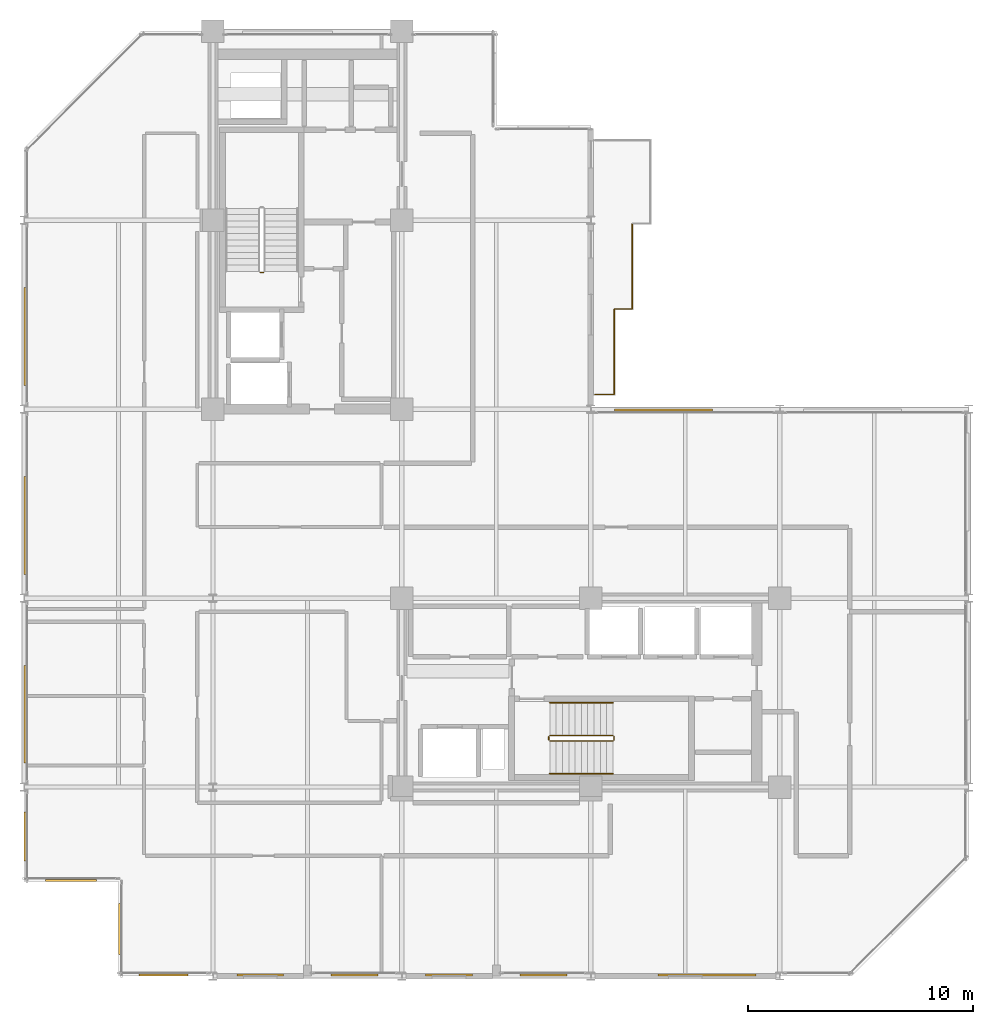
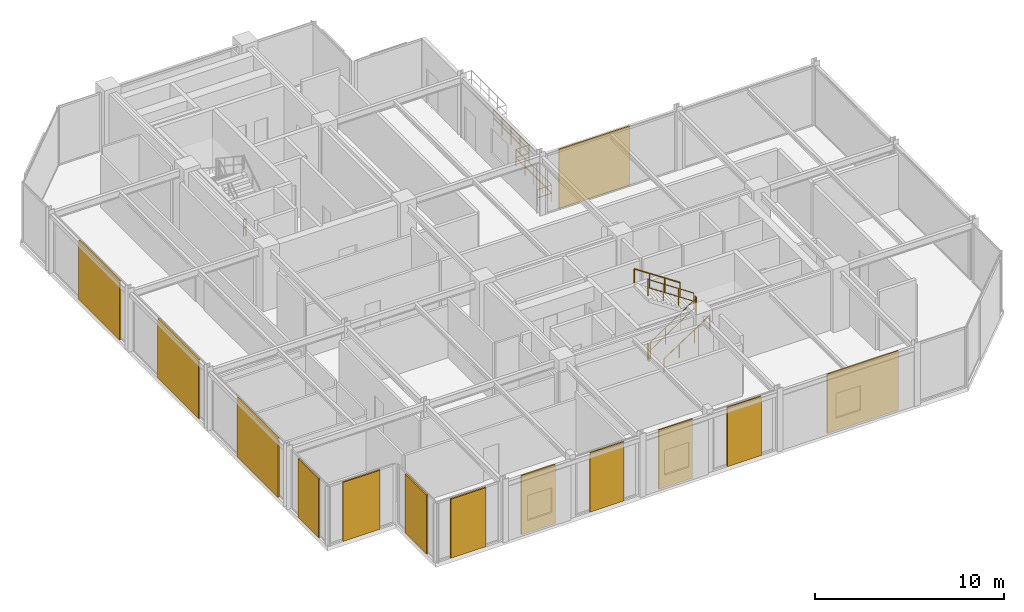
# One storey, part 23 of 25: 13 coverings, 11 railings.
"""IFC4 building model written with IfcOpenShell, lengths in metres."""

from ifc_helpers import new_model, si_unit, direction, frame, origin, origin_2d, place, context, subcontext, project, spatial, rectangle, circle, extrude, material, layer, layer_set, type_object, element, save


model = new_model("IFC4")

# Units and contexts
model_context = context("Model", 3, precision=1e-05, world=origin(), true_north=direction((0.0, 1.0)))
body_context = subcontext(model_context, "Body", "Model", "MODEL_VIEW")
ifc_project = project(units=[si_unit("LENGTHUNIT", "METRE"), si_unit("AREAUNIT", "SQUARE_METRE"), si_unit("VOLUMEUNIT", "CUBIC_METRE"), si_unit("PLANEANGLEUNIT", "RADIAN"), si_unit("MASSUNIT", "GRAM", prefix="KILO")], contexts=[model_context])

# Site, building, storey
site_placement = place(None, origin())
site = spatial("IfcSite", under=ifc_project, at=site_placement, CompositionType="ELEMENT")
building_placement = place(site_placement, origin())
building = spatial("IfcBuilding", under=site, at=building_placement, Name="Nerrivon Quay Data Exchange", CompositionType="ELEMENT")
storey_placement = place(building_placement, frame((0.0, 0.0, 232.89990234375)))
storey = spatial("IfcBuildingStorey", under=building, at=storey_placement, Name="L55", CompositionType="ELEMENT", Elevation=232.89990234375)

# Coverings
ifc_material_1 = material(Name="Architectural terracotta ceramic", Category="masonry")
ifc_layer = layer(ifc_material_1, 0.090087890625)
ifc_layer_set = layer_set([ifc_layer], Name="Architectural terracotta ceramic")
covering_type = type_object("IfcCoveringType", Name="COV-SCR-TERR", PredefinedType="CLADDING", material=ifc_layer_set)
covering_1_placement = place(storey_placement, frame((30.365966796875, 0.044921875, 0.0), z_axis=(0.0, 0.0, 1.0), x_axis=(-1.0, 0.0, 0.0)))
element("IfcCovering", 1, at=covering_1_placement, inside=storey, type_object=covering_type, Name="L55 Perforated Terracotta SOLAR SCREEN Cassette", PredefinedType="CLADDING", context=body_context, shape_type="SweptSolid", body=[
    extrude(rectangle(XDim=4.346923828125, YDim=0.090087890625, at=origin_2d()), origin(), (0.0, 0.0, 1.0), 3.824951171875),
])
for number, where, z_axis, x_axis, name in (
    (2, (23.10009765625, 0.044921875, 0.0), (0.0, 0.0, 1.0), (-1.0, 0.0, 0.0), "L55 Perforated Terracotta SOLAR SCREEN Cassette"),
    (3, (18.89990234375, 0.044921875, 0.0), (0.0, 0.0, 1.0), (-1.0, 0.0, 0.0), "L55 Perforated Terracotta SOLAR SCREEN Cassette"),
    (4, (14.699951171875, 0.044921875, 0.0), (0.0, 0.0, 1.0), (-1.0, 0.0, 0.0), "L55 Perforated Terracotta SOLAR SCREEN Cassette"),
    (5, (10.5, 0.044921875, 0.0), (0.0, 0.0, 1.0), (-1.0, 0.0, 0.0), "L55 Perforated Terracotta SOLAR SCREEN Cassette"),
):
    element("IfcCovering", number, at=place(storey_placement, frame(where, z_axis=z_axis, x_axis=x_axis)), inside=storey, type_object=covering_type, Name=name, PredefinedType="CLADDING", context=body_context, shape_type="SweptSolid", body=[
        extrude(rectangle(XDim=2.0791015625, YDim=0.090087890625, at=origin_2d()), origin(), (0.0, 0.0, 1.0), 3.824951171875),
    ])
covering_2_placement = place(storey_placement, frame((6.21240234375, 0.044921875, 0.0), z_axis=(0.0, 0.0, 1.0), x_axis=(-1.0, 0.0, 0.0)))
element("IfcCovering", 6, at=covering_2_placement, inside=storey, type_object=covering_type, Name="L55 Perforated Terracotta SOLAR SCREEN Cassette", PredefinedType="CLADDING", context=body_context, shape_type="SweptSolid", body=[
    extrude(rectangle(XDim=2.173095703125, YDim=0.090087890625, at=origin_2d()), origin(), (0.0, 0.0, 1.0), 3.824951171875),
])
for number, where, z_axis, x_axis, name in (
    (7, (4.2451171875, 2.10009765625, 0.0), (0.0, 0.0, 1.0), (0.0, 1.0, 0.0), "L55 Perforated Terracotta SOLAR SCREEN Cassette"),
    (8, (2.10009765625, 4.2451171875, 0.0), (0.0, 0.0, 1.0), (-1.0, 0.0, 0.0), "L55 Perforated Terracotta SOLAR SCREEN Cassette"),
):
    element("IfcCovering", number, at=place(storey_placement, frame(where, z_axis=z_axis, x_axis=x_axis)), inside=storey, type_object=covering_type, Name=name, PredefinedType="CLADDING", context=body_context, shape_type="SweptSolid", body=[
        extrude(rectangle(XDim=2.26806640625, YDim=0.090087890625, at=origin_2d()), origin(), (0.0, 0.0, 1.0), 3.824951171875),
    ])
covering_3_placement = place(storey_placement, frame((0.044921875, 6.21240234375, 0.0), z_axis=(0.0, 0.0, 1.0), x_axis=(0.0, 1.0, 0.0)))
element("IfcCovering", 9, at=covering_3_placement, inside=storey, type_object=covering_type, Name="L55 Perforated Terracotta SOLAR SCREEN Cassette", PredefinedType="CLADDING", context=body_context, shape_type="SweptSolid", body=[
    extrude(rectangle(XDim=2.173095703125, YDim=0.090087890625, at=origin_2d()), origin(), (0.0, 0.0, 1.0), 3.824951171875),
])
for number, where, z_axis, x_axis, name in (
    (10, (0.044921875, 11.634033203125, 0.0), (0.0, 0.0, 1.0), (0.0, 1.0, 0.0), "L55 Perforated Terracotta SOLAR SCREEN Cassette"),
    (11, (0.044921875, 20.033935546875, 0.0), (0.0, 0.0, 1.0), (0.0, 1.0, 0.0), "L55 Perforated Terracotta SOLAR SCREEN Cassette"),
    (12, (0.044921875, 28.43408203125, 0.0), (0.0, 0.0, 1.0), (0.0, 1.0, 0.0), "L55 Perforated Terracotta SOLAR SCREEN Cassette"),
    (13, (28.43408203125, 25.155029296875, 0.0), (0.0, 0.0, 1.0), (1.0, 0.0, 0.0), "L55 Perforated Terracotta SOLAR SCREEN Cassette"),
):
    element("IfcCovering", number, at=place(storey_placement, frame(where, z_axis=z_axis, x_axis=x_axis)), inside=storey, type_object=covering_type, Name=name, PredefinedType="CLADDING", context=body_context, shape_type="SweptSolid", body=[
        extrude(rectangle(XDim=4.346923828125, YDim=0.090087890625, at=origin_2d()), origin(), (0.0, 0.0, 1.0), 3.824951171875),
    ])

# Railings
ifc_material_2 = material(Name="Steel Grade C350L0 (350 MPa)", Category="steel")
railing_type_1 = type_object("IfcRailingType", Name="RAIL-GUARD-GR2", PredefinedType="BALUSTRADE", material=ifc_material_2)
railing_1_placement = place(storey_placement, frame((26.239990234375, 29.659912109375, 0.0)))
element("IfcRailing", 14, at=railing_1_placement, inside=storey, type_object=railing_type_1, Name="L55 Verandah Balcony Guard 1.1 1", PredefinedType="BALUSTRADE", context=body_context, shape_type="SweptSolid", body=[
    extrude(circle(Radius=0.02392578125, at=origin_2d()), frame((0.0, 0.0, 1.09619140625), z_axis=(0.0, -1.0, 0.0), x_axis=(1.0, 0.0, 0.0)), (0.0, 0.0, 1.0), 3.7998046875),
    extrude(circle(Radius=0.02392578125, at=origin_2d()), frame((0.0, 0.0, 0.56005859375), z_axis=(0.0, -1.0, 0.0), x_axis=(1.0, 0.0, 0.0)), (0.0, 0.0, 1.0), 3.7998046875),
    extrude(circle(Radius=0.02099609375, at=origin_2d()), origin(), (0.0, 0.0, 1.0), 1.072021484375),
    extrude(circle(Radius=0.02099609375, at=origin_2d()), frame((0.0, -0.949951171875, 0.0)), (0.0, 0.0, 1.0), 1.072021484375),
    extrude(circle(Radius=0.02099609375, at=origin_2d()), frame((0.0, -1.89990234375, 0.0)), (0.0, 0.0, 1.0), 1.072021484375),
    extrude(circle(Radius=0.02099609375, at=origin_2d()), frame((0.0, -2.849853515625, 0.0)), (0.0, 0.0, 1.0), 1.072021484375),
    extrude(circle(Radius=0.02099609375, at=origin_2d()), frame((0.0, -3.7998046875, 0.0)), (0.0, 0.0, 1.0), 1.072021484375),
])
railing_2_placement = place(storey_placement, frame((26.239990234375, 25.860107421875, 0.0)))
element("IfcRailing", 15, at=railing_2_placement, inside=storey, type_object=railing_type_1, Name="L55 Verandah Balcony Guard 1.2 1", PredefinedType="BALUSTRADE", context=body_context, shape_type="SweptSolid", body=[
    extrude(circle(Radius=0.02392578125, at=origin_2d()), frame((0.0, 0.0, 1.09619140625), z_axis=(-1.0, 0.0, 0.0), x_axis=(0.0, -1.0, 0.0)), (0.0, 0.0, 1.0), 0.860107421875),
    extrude(circle(Radius=0.02392578125, at=origin_2d()), frame((0.0, 0.0, 0.56005859375), z_axis=(-1.0, 0.0, 0.0), x_axis=(0.0, -1.0, 0.0)), (0.0, 0.0, 1.0), 0.860107421875),
    extrude(circle(Radius=0.02099609375, at=origin_2d()), origin(), (0.0, 0.0, 1.0), 1.072021484375),
    extrude(circle(Radius=0.02099609375, at=origin_2d()), frame((-0.860107421875, 0.0, 0.0)), (0.0, 0.0, 1.0), 1.072021484375),
])
railing_3_placement = place(storey_placement, frame((27.0400390625, 33.4599609375, 0.0)))
element("IfcRailing", 16, at=railing_3_placement, inside=storey, type_object=railing_type_1, Name="L55 Verandah Balcony Guard 1.6 1", PredefinedType="BALUSTRADE", context=body_context, shape_type="SweptSolid", body=[
    extrude(circle(Radius=0.02392578125, at=origin_2d()), frame((0.0, 0.0, 1.09619140625), z_axis=(0.0, -1.0, 0.0), x_axis=(1.0, 0.0, 0.0)), (0.0, 0.0, 1.0), 3.800048828125),
    extrude(circle(Radius=0.02392578125, at=origin_2d()), frame((0.0, 0.0, 0.56005859375), z_axis=(0.0, -1.0, 0.0), x_axis=(1.0, 0.0, 0.0)), (0.0, 0.0, 1.0), 3.800048828125),
    extrude(circle(Radius=0.02099609375, at=origin_2d()), origin(), (0.0, 0.0, 1.0), 1.072021484375),
    extrude(circle(Radius=0.02099609375, at=origin_2d()), frame((0.0, -0.949951171875, 0.0)), (0.0, 0.0, 1.0), 1.072021484375),
    extrude(circle(Radius=0.02099609375, at=origin_2d()), frame((0.0, -1.89990234375, 0.0)), (0.0, 0.0, 1.0), 1.072021484375),
    extrude(circle(Radius=0.02099609375, at=origin_2d()), frame((0.0, -2.85009765625, 0.0)), (0.0, 0.0, 1.0), 1.072021484375),
    extrude(circle(Radius=0.02099609375, at=origin_2d()), frame((0.0, -3.800048828125, 0.0)), (0.0, 0.0, 1.0), 1.072021484375),
])
railing_4_placement = place(storey_placement, frame((27.0400390625, 29.659912109375, 0.0)))
element("IfcRailing", 17, at=railing_4_placement, inside=storey, type_object=railing_type_1, Name="L55 Verandah Balcony Guard 1.7 1", PredefinedType="BALUSTRADE", context=body_context, shape_type="SweptSolid", body=[
    extrude(circle(Radius=0.02392578125, at=origin_2d()), frame((0.0, 0.0, 1.09619140625), z_axis=(-1.0, 0.0, 0.0), x_axis=(0.0, -1.0, 0.0)), (0.0, 0.0, 1.0), 0.800048828125),
    extrude(circle(Radius=0.02392578125, at=origin_2d()), frame((0.0, 0.0, 0.56005859375), z_axis=(-1.0, 0.0, 0.0), x_axis=(0.0, -1.0, 0.0)), (0.0, 0.0, 1.0), 0.800048828125),
    extrude(circle(Radius=0.02099609375, at=origin_2d()), origin(), (0.0, 0.0, 1.0), 1.072021484375),
    extrude(circle(Radius=0.02099609375, at=origin_2d()), frame((-0.800048828125, 0.0, 0.0)), (0.0, 0.0, 1.0), 1.072021484375),
])
railing_type_2 = type_object("IfcRailingType", Name="RAIL-HAND-HR1", PredefinedType="HANDRAIL", material=ifc_material_2)
railing_5_placement = place(storey_placement, frame((23.3798828125, 9.0, 0.1865234375)))
element("IfcRailing", 18, at=railing_5_placement, inside=storey, type_object=railing_type_2, Name="L55 ST02 stair handrail 1", PredefinedType="HANDRAIL", context=body_context, shape_type="SweptSolid", body=[
    extrude(circle(Radius=0.02392578125, at=origin_2d()), frame((0.0, 0.0, 0.8759765625), z_axis=(0.832485552168, 0.0, 0.554046753832), x_axis=(0.0, 1.0, 0.0)), (0.0, 0.0, 1.0), 3.363525390625),
    extrude(circle(Radius=0.02099609375, at=origin_2d()), origin(), (0.0, 0.0, 1.0), 0.851806640625),
    extrude(circle(Radius=0.02099609375, at=origin_2d()), frame((0.933349609375, 0.0, 0.62109375)), (0.0, 0.0, 1.0), 0.851806640625),
    extrude(circle(Radius=0.02099609375, at=origin_2d()), frame((1.86669921875, 0.0, 1.242431640625)), (0.0, 0.0, 1.0), 0.851806640625),
    extrude(circle(Radius=0.02099609375, at=origin_2d()), frame((2.800048828125, 0.0, 1.863525390625)), (0.0, 0.0, 1.0), 0.851806640625),
])
railing_6_placement = place(storey_placement, frame((26.179931640625, 12.14990234375, 2.236572265625)))
element("IfcRailing", 19, at=railing_6_placement, inside=storey, type_object=railing_type_2, Name="L55 ST02 stair handrail 2", PredefinedType="HANDRAIL", context=body_context, shape_type="SweptSolid", body=[
    extrude(circle(Radius=0.02392578125, at=origin_2d()), frame((0.0, 0.0, 0.8759765625), z_axis=(-0.832485552168, 0.0, 0.554046753832), x_axis=(0.0, -1.0, 0.0)), (0.0, 0.0, 1.0), 3.363525390625),
    extrude(circle(Radius=0.02099609375, at=origin_2d()), origin(), (0.0, 0.0, 1.0), 0.851806640625),
    extrude(circle(Radius=0.02099609375, at=origin_2d()), frame((-0.933349609375, 0.0, 0.62109375)), (0.0, 0.0, 1.0), 0.851806640625),
    extrude(circle(Radius=0.02099609375, at=origin_2d()), frame((-1.86669921875, 0.0, 1.242431640625)), (0.0, 0.0, 1.0), 0.851806640625),
    extrude(circle(Radius=0.02099609375, at=origin_2d()), frame((-2.800048828125, 0.0, 1.863525390625)), (0.0, 0.0, 1.0), 0.851806640625),
])
railing_type_3 = type_object("IfcRailingType", Name="RAIL-STAIR-GR1", PredefinedType="BALUSTRADE", material=ifc_material_2)
railing_7_placement = place(storey_placement, frame((10.64990234375, 31.280029296875, 0.0)))
element("IfcRailing", 20, at=railing_7_placement, inside=storey, type_object=railing_type_3, Name="L55 ST01 stair guard 4", PredefinedType="BALUSTRADE", context=body_context, shape_type="SweptSolid", body=[
    extrude(circle(Radius=0.02392578125, at=origin_2d()), frame((0.0, 0.0, 1.076171875), z_axis=(-1.0, 0.0, 0.0), x_axis=(0.0, -1.0, 0.0)), (0.0, 0.0, 1.0), 0.14990234375),
    extrude(circle(Radius=0.02392578125, at=origin_2d()), frame((0.0, 0.0, 0.550048828125), z_axis=(-1.0, 0.0, 0.0), x_axis=(0.0, -1.0, 0.0)), (0.0, 0.0, 1.0), 0.14990234375),
    extrude(circle(Radius=0.02099609375, at=origin_2d()), origin(), (0.0, 0.0, 1.0), 1.052001953125),
    extrude(circle(Radius=0.02099609375, at=origin_2d()), frame((-0.14990234375, 0.0, 0.0)), (0.0, 0.0, 1.0), 1.052001953125),
])
railing_8_placement = place(storey_placement, frame((23.3798828125, 10.449951171875, 0.1865234375)))
element("IfcRailing", 21, at=railing_8_placement, inside=storey, type_object=railing_type_3, Name="L55 ST02 stair guard 1", PredefinedType="BALUSTRADE", context=body_context, shape_type="SweptSolid", body=[
    extrude(circle(Radius=0.02392578125, at=origin_2d()), frame((0.0, 0.0, 1.076171875), z_axis=(0.832485552168, 0.0, 0.554046753832), x_axis=(0.0, 1.0, 0.0)), (0.0, 0.0, 1.0), 3.363525390625),
    extrude(circle(Radius=0.02392578125, at=origin_2d()), frame((0.0, 0.0, 0.550048828125), z_axis=(0.832485552168, 0.0, 0.554046753832), x_axis=(0.0, 1.0, 0.0)), (0.0, 0.0, 1.0), 3.363525390625),
    extrude(circle(Radius=0.02099609375, at=origin_2d()), origin(), (0.0, 0.0, 1.0), 1.052001953125),
    extrude(circle(Radius=0.02099609375, at=origin_2d()), frame((0.933349609375, 0.0, 0.62109375)), (0.0, 0.0, 1.0), 1.052001953125),
    extrude(circle(Radius=0.02099609375, at=origin_2d()), frame((1.86669921875, 0.0, 1.242431640625)), (0.0, 0.0, 1.0), 1.052001953125),
    extrude(circle(Radius=0.02099609375, at=origin_2d()), frame((2.800048828125, 0.0, 1.863525390625)), (0.0, 0.0, 1.0), 1.052001953125),
])
railing_9_placement = place(storey_placement, frame((26.22998046875, 10.5, 2.050048828125)))
element("IfcRailing", 22, at=railing_9_placement, inside=storey, type_object=railing_type_3, Name="L55 ST02 stair guard 2", PredefinedType="BALUSTRADE", context=body_context, shape_type="SweptSolid", body=[
    extrude(circle(Radius=0.02392578125, at=origin_2d()), frame((0.0, 0.0, 1.076171875), z_axis=(0.0, 1.0, 0.0), x_axis=(-1.0, 0.0, 0.0)), (0.0, 0.0, 1.0), 0.14990234375),
    extrude(circle(Radius=0.02392578125, at=origin_2d()), frame((0.0, 0.0, 0.550048828125), z_axis=(0.0, 1.0, 0.0), x_axis=(-1.0, 0.0, 0.0)), (0.0, 0.0, 1.0), 0.14990234375),
    extrude(circle(Radius=0.02099609375, at=origin_2d()), origin(), (0.0, 0.0, 1.0), 1.052001953125),
    extrude(circle(Radius=0.02099609375, at=origin_2d()), frame((0.0, 0.14990234375, 0.0)), (0.0, 0.0, 1.0), 1.052001953125),
])
railing_10_placement = place(storey_placement, frame((26.179931640625, 10.699951171875, 2.236572265625)))
element("IfcRailing", 23, at=railing_10_placement, inside=storey, type_object=railing_type_3, Name="L55 ST02 stair guard 3", PredefinedType="BALUSTRADE", context=body_context, shape_type="SweptSolid", body=[
    extrude(circle(Radius=0.02392578125, at=origin_2d()), frame((0.0, 0.0, 1.076171875), z_axis=(-0.832485552168, 0.0, 0.554046753832), x_axis=(0.0, -1.0, 0.0)), (0.0, 0.0, 1.0), 3.363525390625),
    extrude(circle(Radius=0.02392578125, at=origin_2d()), frame((0.0, 0.0, 0.550048828125), z_axis=(-0.832485552168, 0.0, 0.554046753832), x_axis=(0.0, -1.0, 0.0)), (0.0, 0.0, 1.0), 3.363525390625),
    extrude(circle(Radius=0.02099609375, at=origin_2d()), origin(), (0.0, 0.0, 1.0), 1.052001953125),
    extrude(circle(Radius=0.02099609375, at=origin_2d()), frame((-0.933349609375, 0.0, 0.62109375)), (0.0, 0.0, 1.0), 1.052001953125),
    extrude(circle(Radius=0.02099609375, at=origin_2d()), frame((-1.86669921875, 0.0, 1.242431640625)), (0.0, 0.0, 1.0), 1.052001953125),
    extrude(circle(Radius=0.02099609375, at=origin_2d()), frame((-2.800048828125, 0.0, 1.863525390625)), (0.0, 0.0, 1.0), 1.052001953125),
])
railing_11_placement = place(storey_placement, frame((23.330078125, 10.5, 0.0)))
element("IfcRailing", 24, at=railing_11_placement, inside=storey, type_object=railing_type_3, Name="L55 ST02 stair guard 4", PredefinedType="BALUSTRADE", context=body_context, shape_type="SweptSolid", body=[
    extrude(circle(Radius=0.02392578125, at=origin_2d()), frame((0.0, 0.0, 1.076171875), z_axis=(0.0, 1.0, 0.0), x_axis=(-1.0, 0.0, 0.0)), (0.0, 0.0, 1.0), 0.14990234375),
    extrude(circle(Radius=0.02392578125, at=origin_2d()), frame((0.0, 0.0, 0.550048828125), z_axis=(0.0, 1.0, 0.0), x_axis=(-1.0, 0.0, 0.0)), (0.0, 0.0, 1.0), 0.14990234375),
    extrude(circle(Radius=0.02099609375, at=origin_2d()), origin(), (0.0, 0.0, 1.0), 1.052001953125),
    extrude(circle(Radius=0.02099609375, at=origin_2d()), frame((0.0, 0.14990234375, 0.0)), (0.0, 0.0, 1.0), 1.052001953125),
])

save(model, "model.ifc")
